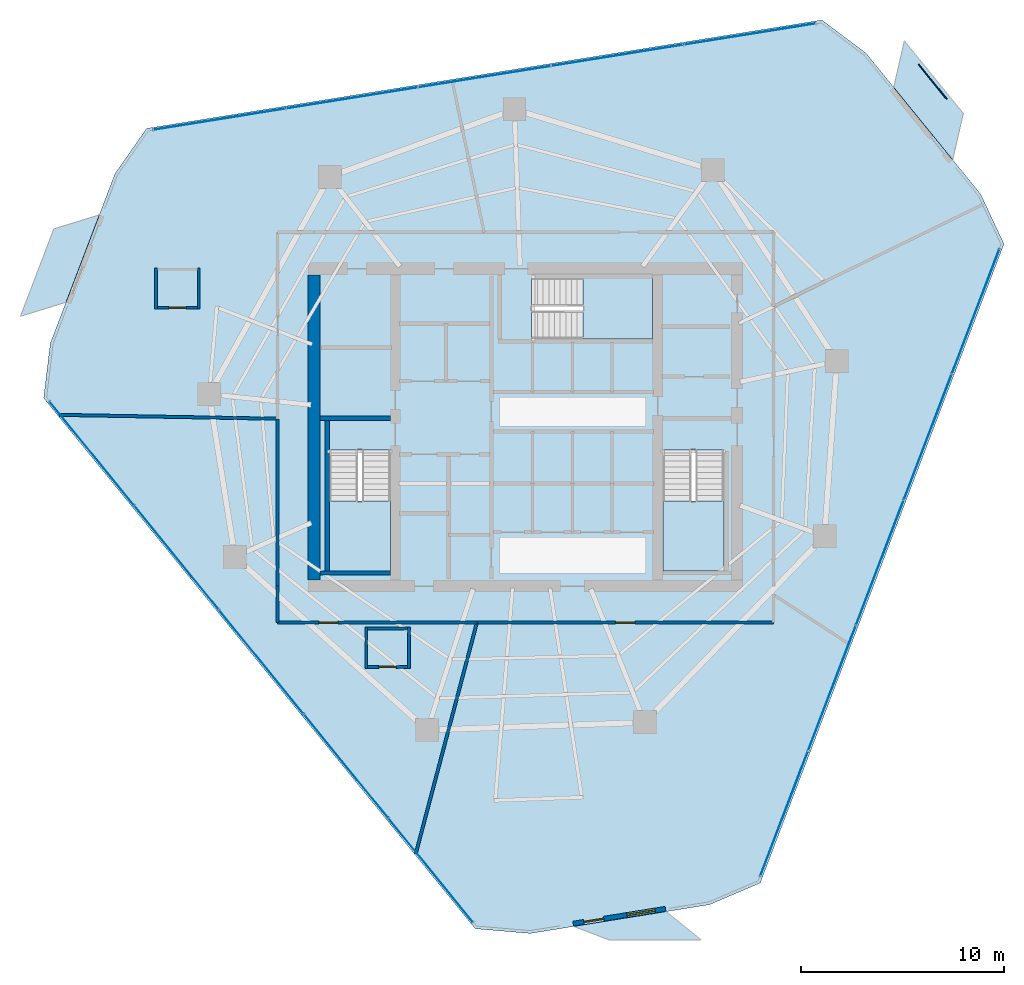
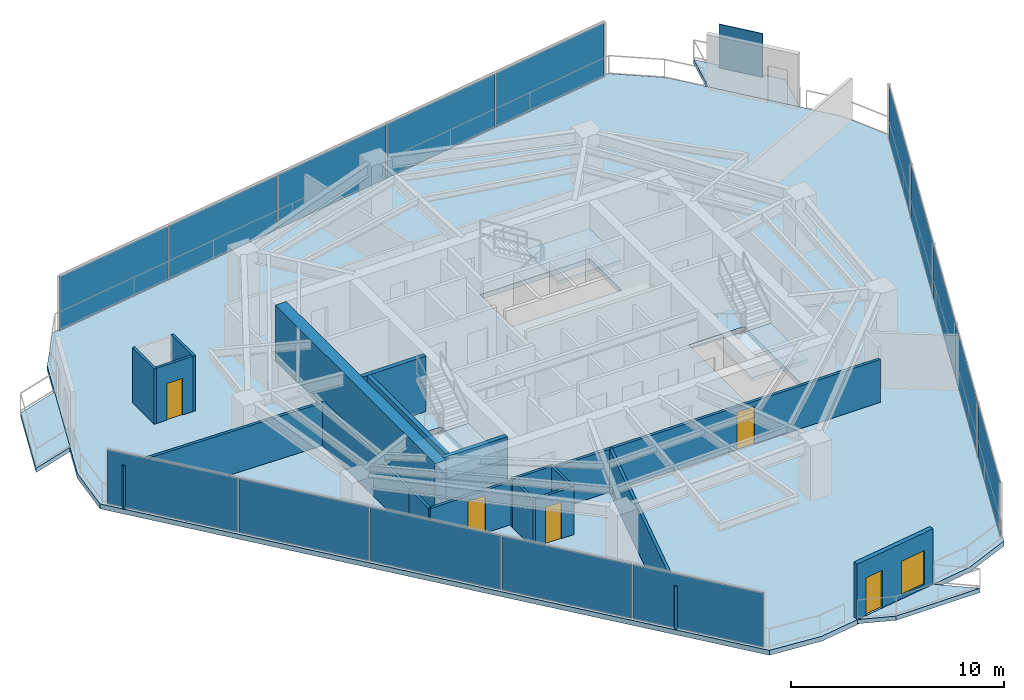
# One storey, part 23 of 27: 18 walls, 16 plates, 7 slabs, 5 doors, 1 window, 6 openings, 6 elements without a shape of their own.
"""IFC4 building model written with IfcOpenShell, lengths in metres."""

from ifc_helpers import new_model, si_unit, direction, frame, frame_2d, origin, origin_2d, place, context, subcontext, project, spatial, polyline, rectangle, outline, extrude, material, layer, layer_set, type_object, element, fill, aggregate, save


model = new_model("IFC4")

# Units and contexts
model_context = context("Model", 3, precision=1e-05, world=origin(), true_north=direction((0.0, 1.0)))
body_context = subcontext(model_context, "Body", "Model", "MODEL_VIEW")
ifc_project = project(units=[si_unit("LENGTHUNIT", "METRE"), si_unit("AREAUNIT", "SQUARE_METRE"), si_unit("VOLUMEUNIT", "CUBIC_METRE"), si_unit("PLANEANGLEUNIT", "RADIAN"), si_unit("MASSUNIT", "GRAM", prefix="KILO")], contexts=[model_context])

# Site, building, storey
site_placement = place(None, origin())
site = spatial("IfcSite", under=ifc_project, at=site_placement, CompositionType="ELEMENT")
building_placement = place(site_placement, origin())
building = spatial("IfcBuilding", under=site, at=building_placement, Name="Qarnah Convention Tower", CompositionType="ELEMENT")
storey_placement = place(building_placement, frame((0.0, 0.0, 100.5)))
storey = spatial("IfcBuildingStorey", under=building, at=storey_placement, Name="L26", CompositionType="ELEMENT", Elevation=100.5)

# Curtain wall, plates
ifc_material_1 = material(Name="Tempered Low-E dark glass", Category="glass")
ifc_layer_1 = layer(ifc_material_1, 0.169921875)
ifc_layer_set_1 = layer_set([ifc_layer_1], Name="Tempered Low-E dark glass")
curtain_wall_type = type_object("IfcCurtainWallType", Name="CWS-02", PredefinedType="NOTDEFINED", material=ifc_layer_set_1)
curtain_wall_1_placement = place(storey_placement, origin())
curtain_wall_1 = element("IfcCurtainWall", 1, at=curtain_wall_1_placement, inside=storey, type_object=curtain_wall_type, Name="L26 unitised curtain wall CW-L26-F1", PredefinedType="NOTDEFINED")
ifc_layer_2 = layer(ifc_material_1, 0.030029296875)
ifc_layer_set_2 = layer_set([ifc_layer_2], Name="Tempered Low-E dark glass")
plate_type_1 = type_object("IfcPlateType", Name="PNL-T2", PredefinedType="CURTAIN_PANEL", material=ifc_layer_set_2)
plate_1_placement = place(storey_placement, frame((59.33447265625, 32.09814453125, 0.0400390625), z_axis=(0.0, 0.0, 1.0), x_axis=(-0.356401833509, -0.934332774268, 0.0)))
plate_1 = element("IfcPlate", 2, at=plate_1_placement, type_object=plate_type_1, Name="CW-L26-F1 curtain panel 1.1", PredefinedType="CURTAIN_PANEL", context=body_context, shape_type="SweptSolid", body=[
    extrude(rectangle(XDim=6.52783203125, YDim=0.030029296875, at=origin_2d()), origin(), (0.0, 0.0, 1.0), 3.090087890625),
])
plate_2_placement = place(storey_placement, frame((56.9794921875, 25.92431640625, 0.0400390625), z_axis=(0.0, 0.0, 1.0), x_axis=(-0.356401833509, -0.934332774268, 0.0)))
plate_2 = element("IfcPlate", 3, at=plate_2_placement, type_object=plate_type_1, Name="CW-L26-F1 curtain panel 2.1", PredefinedType="CURTAIN_PANEL", context=body_context, shape_type="SweptSolid", body=[
    extrude(rectangle(XDim=6.52783203125, YDim=0.030029296875, at=origin_2d()), origin(), (0.0, 0.0, 1.0), 3.090087890625),
])
plate_3_placement = place(storey_placement, frame((54.62451171875, 19.75048828125, 0.0400390625), z_axis=(0.0, 0.0, 1.0), x_axis=(-0.356401833509, -0.934332774268, 0.0)))
plate_3 = element("IfcPlate", 4, at=plate_3_placement, type_object=plate_type_1, Name="CW-L26-F1 curtain panel 3.1", PredefinedType="CURTAIN_PANEL", context=body_context, shape_type="SweptSolid", body=[
    extrude(rectangle(XDim=6.52783203125, YDim=0.030029296875, at=origin_2d()), origin(), (0.0, 0.0, 1.0), 3.090087890625),
])
plate_4_placement = place(storey_placement, frame((52.26953125, 13.57666015625, 0.0400390625), z_axis=(0.0, 0.0, 1.0), x_axis=(-0.356401833509, -0.934332774268, 0.0)))
plate_4 = element("IfcPlate", 5, at=plate_4_placement, type_object=plate_type_1, Name="CW-L26-F1 curtain panel 4.1", PredefinedType="CURTAIN_PANEL", context=body_context, shape_type="SweptSolid", body=[
    extrude(rectangle(XDim=6.52783203125, YDim=0.030029296875, at=origin_2d()), origin(), (0.0, 0.0, 1.0), 3.090087890625),
])
plate_5_placement = place(storey_placement, frame((49.91455078125, 7.40283203125, 0.0400390625), z_axis=(0.0, 0.0, 1.0), x_axis=(-0.356401833509, -0.934332774268, 0.0)))
plate_5 = element("IfcPlate", 6, at=plate_5_placement, type_object=plate_type_1, Name="CW-L26-F1 curtain panel 5.1", PredefinedType="CURTAIN_PANEL", context=body_context, shape_type="SweptSolid", body=[
    extrude(rectangle(XDim=6.52783203125, YDim=0.030029296875, at=origin_2d()), origin(), (0.0, 0.0, 1.0), 3.090087890625),
])
aggregate(curtain_wall_1, [plate_1, plate_2, plate_3, plate_4, plate_5])

curtain_wall_2_placement = place(storey_placement, origin())
curtain_wall_2 = element("IfcCurtainWall", 7, at=curtain_wall_2_placement, inside=storey, type_object=curtain_wall_type, Name="L26 unitised curtain wall CW-L26-F2", PredefinedType="NOTDEFINED")
plate_6_placement = place(storey_placement, frame((32.54150390625, 4.6142578125, 0.0400390625), z_axis=(0.0, 0.0, 1.0), x_axis=(-0.630942367883, 0.775829703227, 0.0)))
plate_6 = element("IfcPlate", 8, at=plate_6_placement, type_object=plate_type_1, Name="CW-L26-F2 curtain panel 1.1", PredefinedType="CURTAIN_PANEL", context=body_context, shape_type="SweptSolid", body=[
    extrude(rectangle(XDim=6.52783203125, YDim=0.030029296875, at=origin_2d()), origin(), (0.0, 0.0, 1.0), 3.090087890625),
])
plate_7_placement = place(storey_placement, frame((28.372314453125, 9.740966796875, 0.0400390625), z_axis=(0.0, 0.0, 1.0), x_axis=(-0.630942367883, 0.775829703227, 0.0)))
plate_7 = element("IfcPlate", 9, at=plate_7_placement, type_object=plate_type_1, Name="CW-L26-F2 curtain panel 2.1", PredefinedType="CURTAIN_PANEL", context=body_context, shape_type="SweptSolid", body=[
    extrude(rectangle(XDim=6.52783203125, YDim=0.030029296875, at=origin_2d()), origin(), (0.0, 0.0, 1.0), 3.090087890625),
])
plate_8_placement = place(storey_placement, frame((24.202880859375, 14.867431640625, 0.0400390625), z_axis=(0.0, 0.0, 1.0), x_axis=(-0.630942367883, 0.775829703227, 0.0)))
plate_8 = element("IfcPlate", 10, at=plate_8_placement, type_object=plate_type_1, Name="CW-L26-F2 curtain panel 3.1", PredefinedType="CURTAIN_PANEL", context=body_context, shape_type="SweptSolid", body=[
    extrude(rectangle(XDim=6.52783203125, YDim=0.030029296875, at=origin_2d()), origin(), (0.0, 0.0, 1.0), 3.090087890625),
])
plate_9_placement = place(storey_placement, frame((20.03369140625, 19.994140625, 0.0400390625), z_axis=(0.0, 0.0, 1.0), x_axis=(-0.630942367883, 0.775829703227, 0.0)))
plate_9 = element("IfcPlate", 11, at=plate_9_placement, type_object=plate_type_1, Name="CW-L26-F2 curtain panel 4.1", PredefinedType="CURTAIN_PANEL", context=body_context, shape_type="SweptSolid", body=[
    extrude(rectangle(XDim=6.52783203125, YDim=0.030029296875, at=origin_2d()), origin(), (0.0, 0.0, 1.0), 3.090087890625),
])
plate_10_placement = place(storey_placement, frame((15.864501953125, 25.12060546875, 0.0400390625), z_axis=(0.0, 0.0, 1.0), x_axis=(-0.630942367883, 0.775829703227, 0.0)))
plate_10 = element("IfcPlate", 12, at=plate_10_placement, type_object=plate_type_1, Name="CW-L26-F2 curtain panel 5.1", PredefinedType="CURTAIN_PANEL", context=body_context, shape_type="SweptSolid", body=[
    extrude(rectangle(XDim=6.52783203125, YDim=0.030029296875, at=origin_2d()), origin(), (0.0, 0.0, 1.0), 3.090087890625),
])
aggregate(curtain_wall_2, [plate_6, plate_7, plate_8, plate_9, plate_10])

curtain_wall_3_placement = place(storey_placement, origin())
curtain_wall_3 = element("IfcCurtainWall", 13, at=curtain_wall_3_placement, inside=storey, type_object=curtain_wall_type, Name="L26 unitised curtain wall CW-L26-F3", PredefinedType="NOTDEFINED")
plate_11_placement = place(storey_placement, frame((22.135986328125, 41.559814453125, 0.0400390625), z_axis=(0.0, 0.0, 1.0), x_axis=(0.987357200045, 0.158511070653, 0.0)))
plate_11 = element("IfcPlate", 14, at=plate_11_placement, type_object=plate_type_1, Name="CW-L26-F3 curtain panel 1.1", PredefinedType="CURTAIN_PANEL", context=body_context, shape_type="SweptSolid", body=[
    extrude(rectangle(XDim=6.52783203125, YDim=0.030029296875, at=origin_2d()), origin(), (0.0, 0.0, 1.0), 3.090087890625),
])
plate_12_placement = place(storey_placement, frame((28.660400390625, 42.607177734375, 0.0400390625), z_axis=(0.0, 0.0, 1.0), x_axis=(0.987357200045, 0.158511070653, 0.0)))
plate_12 = element("IfcPlate", 15, at=plate_12_placement, type_object=plate_type_1, Name="CW-L26-F3 curtain panel 2.1", PredefinedType="CURTAIN_PANEL", context=body_context, shape_type="SweptSolid", body=[
    extrude(rectangle(XDim=6.52783203125, YDim=0.030029296875, at=origin_2d()), origin(), (0.0, 0.0, 1.0), 3.090087890625),
])
plate_13_placement = place(storey_placement, frame((35.1845703125, 43.654541015625, 0.0400390625), z_axis=(0.0, 0.0, 1.0), x_axis=(0.987357200045, 0.158511070653, 0.0)))
plate_13 = element("IfcPlate", 16, at=plate_13_placement, type_object=plate_type_1, Name="CW-L26-F3 curtain panel 3.1", PredefinedType="CURTAIN_PANEL", context=body_context, shape_type="SweptSolid", body=[
    extrude(rectangle(XDim=6.52783203125, YDim=0.030029296875, at=origin_2d()), origin(), (0.0, 0.0, 1.0), 3.090087890625),
])
plate_14_placement = place(storey_placement, frame((41.708740234375, 44.701904296875, 0.0400390625), z_axis=(0.0, 0.0, 1.0), x_axis=(0.987357200045, 0.158511070653, 0.0)))
plate_14 = element("IfcPlate", 17, at=plate_14_placement, type_object=plate_type_1, Name="CW-L26-F3 curtain panel 4.1", PredefinedType="CURTAIN_PANEL", context=body_context, shape_type="SweptSolid", body=[
    extrude(rectangle(XDim=6.52783203125, YDim=0.030029296875, at=origin_2d()), origin(), (0.0, 0.0, 1.0), 3.090087890625),
])
plate_15_placement = place(storey_placement, frame((48.23291015625, 45.749267578125, 0.0400390625), z_axis=(0.0, 0.0, 1.0), x_axis=(0.987357200045, 0.158511070653, 0.0)))
plate_15 = element("IfcPlate", 18, at=plate_15_placement, type_object=plate_type_1, Name="CW-L26-F3 curtain panel 5.1", PredefinedType="CURTAIN_PANEL", context=body_context, shape_type="SweptSolid", body=[
    extrude(rectangle(XDim=6.52783203125, YDim=0.030029296875, at=origin_2d()), origin(), (0.0, 0.0, 1.0), 3.090087890625),
])
aggregate(curtain_wall_3, [plate_11, plate_12, plate_13, plate_14, plate_15])

# Plate
ifc_material_2 = material(Name="Black anodised aluminium", Category="aluminium")
ifc_layer_3 = layer(ifc_material_2, 0.044921875)
ifc_layer_set_3 = layer_set([ifc_layer_3], Name="Black anodised aluminium")
plate_type_2 = type_object("IfcPlateType", Name="SCR-BAL-18", PredefinedType="USERDEFINED", material=ifc_layer_set_3)
plate_16_placement = place(storey_placement, frame((57.22705078125, 43.39697265625, 0.0), z_axis=(0.0, 0.0, 1.0), x_axis=(0.63087895429, -0.775881269933, 0.0)))
element("IfcPlate", 19, at=plate_16_placement, inside=storey, type_object=plate_type_2, Name="L26 perforated desert solar screen BAL-L26-C1", ObjectType="SCREEN", PredefinedType="USERDEFINED", context=body_context, shape_type="SweptSolid", body=[
    extrude(rectangle(XDim=2.199951171875, YDim=0.044921875, at=origin_2d()), origin(), (0.0, 0.0, 1.0), 2.5),
])

# Slabs
ifc_material_3 = material(Name="Concrete C45/55", Category="concrete")
ifc_layer_4 = layer(ifc_material_3, 0.239990234375)
ifc_layer_set_4 = layer_set([ifc_layer_4], Name="Concrete C45/55")
slab_type_1 = type_object("IfcSlabType", Name="SLB-BAL-240", PredefinedType="USERDEFINED", material=ifc_layer_set_4)
slab_1_placement = place(storey_placement, frame((0.0, 0.0, -0.239990234375)))
element("IfcSlab", 20, at=slab_1_placement, inside=storey, type_object=slab_type_1, Name="L26 cantilevered balcony slab BAL-L26-C1", ObjectType="BALCONY", PredefinedType="USERDEFINED", context=body_context, shape_type="SweptSolid", body=[
    extrude(outline(polyline([(55.8291015625, 45.4150390625), (58.73095703125, 41.845947265625), (58.2080078125, 39.55908203125), (55.305908203125, 43.126953125), (55.8291015625, 45.4150390625)])), origin(), (0.0, 0.0, 1.0), 0.239990234375),
])
slab_2_placement = place(storey_placement, frame((0.0, 0.0, -0.239990234375)))
element("IfcSlab", 21, at=slab_2_placement, inside=storey, type_object=slab_type_1, Name="L26 cantilevered balcony slab BAL-L26-C2", ObjectType="BALCONY", PredefinedType="USERDEFINED", context=body_context, shape_type="SweptSolid", body=[
    extrude(outline(polyline([(12.35595703125, 31.865966796875), (13.99609375, 36.1640625), (16.238037109375, 36.85400390625), (14.59912109375, 32.556884765625), (12.35595703125, 31.865966796875)])), origin(), (0.0, 0.0, 1.0), 0.239990234375),
])
slab_3_placement = place(storey_placement, frame((0.0, 0.0, -0.239990234375)))
element("IfcSlab", 22, at=slab_3_placement, inside=storey, type_object=slab_type_1, Name="L26 cantilevered balcony slab BAL-L26-C3", ObjectType="BALCONY", PredefinedType="USERDEFINED", context=body_context, shape_type="SweptSolid", body=[
    extrude(outline(polyline([(45.826904296875, 1.199951171875), (41.284912109375, 1.199951171875), (39.56494140625, 1.860107421875), (44.10791015625, 2.589111328125), (45.826904296875, 1.199951171875)])), origin(), (0.0, 0.0, 1.0), 0.239990234375),
])

# Stair, slab
ifc_material_4 = material(Name="Concrete C50/60", Category="concrete")
stair_type = type_object("IfcStairType", Name="STR-HTL", PredefinedType="HALF_TURN_STAIR", material=ifc_material_4)
stair_1_placement = place(storey_placement, origin())
stair_1 = element("IfcStair", 23, at=stair_1_placement, inside=storey, type_object=stair_type, Name="L26 Core exit stair ST-1", PredefinedType="HALF_TURN_STAIR")
ifc_layer_5 = layer(ifc_material_4, 0.199951171875)
ifc_layer_set_5 = layer_set([ifc_layer_5], Name="Concrete C50/60")
slab_type_2 = type_object("IfcSlabType", Name="SLB-LANDING-200", PredefinedType="LANDING", material=ifc_layer_set_5)
slab_4_placement = place(storey_placement, frame((0.0, 0.0, 1.52490234375)))
slab_4 = element("IfcSlab", 24, at=slab_4_placement, type_object=slab_type_2, Name="ST-1 landing 1", PredefinedType="LANDING", context=body_context, shape_type="SweptSolid", body=[
    extrude(outline(polyline([(27.550048828125, 22.780029296875), (27.550048828125, 19.35009765625), (30.550048828125, 19.35009765625), (30.550048828125, 22.780029296875), (27.550048828125, 22.780029296875)])), origin(), (0.0, 0.0, 1.0), 0.2001953125),
])
aggregate(stair_1, [slab_4])

stair_2_placement = place(storey_placement, origin())
stair_2 = element("IfcStair", 25, at=stair_2_placement, inside=storey, type_object=stair_type, Name="L26 Core exit stair ST-2", PredefinedType="HALF_TURN_STAIR")
slab_5_placement = place(storey_placement, frame((0.0, 0.0, 1.52490234375)))
slab_5 = element("IfcSlab", 26, at=slab_5_placement, type_object=slab_type_2, Name="ST-2 landing 1", PredefinedType="LANDING", context=body_context, shape_type="SweptSolid", body=[
    extrude(outline(polyline([(43.949951171875, 22.780029296875), (43.949951171875, 19.35009765625), (46.949951171875, 19.35009765625), (46.949951171875, 22.780029296875), (43.949951171875, 22.780029296875)])), origin(), (0.0, 0.0, 1.0), 0.2001953125),
])
aggregate(stair_2, [slab_5])

stair_3_placement = place(storey_placement, origin())
stair_3 = element("IfcStair", 27, at=stair_3_placement, inside=storey, type_object=stair_type, Name="L26 Core exit stair ST-3", PredefinedType="HALF_TURN_STAIR")
slab_6_placement = place(storey_placement, frame((0.0, 0.0, 1.52490234375)))
slab_6 = element("IfcSlab", 28, at=slab_6_placement, type_object=slab_type_2, Name="ST-3 landing 1", PredefinedType="LANDING", context=body_context, shape_type="SweptSolid", body=[
    extrude(outline(polyline([(40.02001953125, 30.75), (43.449951171875, 30.75), (43.449951171875, 33.75), (40.02001953125, 33.75), (40.02001953125, 30.75)])), origin(), (0.0, 0.0, 1.0), 0.2001953125),
])
aggregate(stair_3, [slab_6])

# Slab
ifc_layer_6 = layer(ifc_material_3, 0.280029296875)
ifc_layer_set_6 = layer_set([ifc_layer_6], Name="Concrete C45/55")
slab_type_3 = type_object("IfcSlabType", Name="SLB-TWR-280", PredefinedType="FLOOR", material=ifc_layer_set_6)
slab_7_placement = place(storey_placement, frame((0.0, 0.0, -0.280029296875)))
element("IfcSlab", 29, at=slab_7_placement, inside=storey, type_object=slab_type_3, Name="L26 structural floor slab", PredefinedType="FLOOR", context=body_context, shape_type="SweptSolid", body=[
    extrude(outline(polyline([(51.77197265625, 46.43896484375), (18.55908203125, 41.10693359375), (17.007080078125, 38.882080078125), (13.822998046875, 30.533935546875), (13.498046875, 27.841064453125), (34.721923828125, 1.742919921875), (37.425048828125, 1.511962890625), (46.2470703125, 2.927978515625), (48.741943359375, 3.992919921875), (60.73095703125, 35.423095703125), (59.580078125, 37.87890625), (53.94189453125, 44.81103515625), (51.77197265625, 46.43896484375)]), holes=[polyline([(27.550048828125, 25.300048828125), (27.550048828125, 19.35009765625), (30.550048828125, 19.35009765625), (30.550048828125, 25.300048828125), (27.550048828125, 25.300048828125)]), polyline([(43.949951171875, 25.300048828125), (43.949951171875, 19.35009765625), (46.949951171875, 19.35009765625), (46.949951171875, 25.300048828125), (43.949951171875, 25.300048828125)]), polyline([(37.5, 30.75), (43.449951171875, 30.75), (43.449951171875, 33.75), (37.5, 33.75), (37.5, 30.75)])]), origin(), (0.0, 0.0, 1.0), 0.280029296875),
])

# Walls
ifc_material_5 = material(Name="Concrete C60/75", Category="concrete")
ifc_layer_7 = layer(ifc_material_5, 0.60009765625)
ifc_layer_set_7 = layer_set([ifc_layer_7], Name="Concrete C60/75")
wall_type_1 = type_object("IfcWallType", Name="WL-CORE-600", PredefinedType="SHEAR", material=ifc_layer_set_7)
wall_1_placement = place(storey_placement, frame((26.800048828125, 18.89990234375, 0.0), z_axis=(0.0, 0.0, 1.0), x_axis=(0.0, 1.0, 0.0)))
element("IfcWall", 30, at=wall_1_placement, inside=storey, type_object=wall_type_1, Name="L26 core west shear wall", PredefinedType="SHEAR", context=body_context, shape_type="SweptSolid", body=[
    extrude(rectangle(XDim=15.0, YDim=0.60009765625, at=frame_2d((7.5, 0.0))), origin(), (0.0, 0.0, 1.0), 3.169921875),
])
ifc_layer_8 = layer(ifc_material_5, 0.219970703125)
ifc_layer_set_8 = layer_set([ifc_layer_8], Name="Concrete C60/75")
wall_type_2 = type_object("IfcWallType", Name="WL-CORE-STAIR-220", PredefinedType="SHEAR", material=ifc_layer_set_8)
wall_2_placement = place(storey_placement, frame((27.10009765625, 26.860107421875, 0.0), z_axis=(0.0, 0.0, 1.0), x_axis=(1.0, 0.0, 0.0)))
element("IfcWall", 31, at=wall_2_placement, inside=storey, type_object=wall_type_2, Name="L26 stair shaft shear wall SW-L26-ST1N", PredefinedType="SHEAR", context=body_context, shape_type="SweptSolid", body=[
    extrude(rectangle(XDim=3.449951171875, YDim=0.219970703125, at=frame_2d((1.72509765625, 0.0))), origin(), (0.0, 0.0, 1.0), 3.169921875),
])
wall_3_placement = place(storey_placement, frame((27.43994140625, 19.35009765625, 0.0), z_axis=(0.0, 0.0, 1.0), x_axis=(0.0, 1.0, 0.0)))
element("IfcWall", 32, at=wall_3_placement, inside=storey, type_object=wall_type_2, Name="L26 stair shaft shear wall SW-L26-ST1W", PredefinedType="SHEAR", context=body_context, shape_type="SweptSolid", body=[
    extrude(rectangle(XDim=7.39990234375, YDim=0.219970703125, at=frame_2d((3.699951171875, 0.0))), origin(), (0.0, 0.0, 1.0), 3.169921875),
])
wall_4_placement = place(storey_placement, frame((27.10009765625, 19.239990234375, 0.0), z_axis=(0.0, 0.0, 1.0), x_axis=(1.0, 0.0, 0.0)))
element("IfcWall", 33, at=wall_4_placement, inside=storey, type_object=wall_type_2, Name="L26 stair shaft shear wall SW-L26-ST1S", PredefinedType="SHEAR", context=body_context, shape_type="SweptSolid", body=[
    extrude(rectangle(XDim=3.449951171875, YDim=0.219970703125, at=frame_2d((1.72509765625, 0.0))), origin(), (0.0, 0.0, 1.0), 3.169921875),
])

# Wall, openings, door, window
ifc_material_6 = material(Name="Precast concrete C45/55", Category="concrete")
ifc_layer_9 = layer(ifc_material_6, 0.239990234375)
ifc_layer_set_9 = layer_set([ifc_layer_9], Name="Precast concrete C45/55")
wall_type_3 = type_object("IfcWallType", Name="WL-EXT-BAL-240", PredefinedType="SOLIDWALL", material=ifc_layer_set_9)
wall_5_placement = place(storey_placement, frame((44.0849609375, 2.722900390625, 0.0), z_axis=(0.0, 0.0, 1.0), x_axis=(-0.987363015506, -0.158474842201, 0.0)))
wall_5 = element("IfcWall", 34, at=wall_5_placement, inside=storey, type_object=wall_type_3, Name="L26 loggia threshold wall BAL-L26-C3", PredefinedType="SOLIDWALL", context=body_context, shape_type="SweptSolid", body=[
    extrude(rectangle(XDim=4.60009765625, YDim=0.239990234375, at=frame_2d((2.300048828125, 0.0))), origin(), (0.0, 0.0, 1.0), 3.169921875),
])
opening_1_placement = place(wall_5_placement, frame((3.080078125, 0.0, 0.0)))
opening_1 = element("IfcOpeningElement", 35, at=opening_1_placement, cuts=wall_5, Name="Opening BD-2603", PredefinedType="OPENING", context=body_context, shape_type="SweptSolid", body=[
    extrude(rectangle(XDim=1.0, YDim=2.14990234375, at=frame_2d((0.5, 1.074951171875))), frame((0.0, 0.1298828125, 0.0), z_axis=(0.0, -1.0, 0.0), x_axis=(1.0, 0.0, 0.0)), (0.0, 0.0, 1.0), 0.260009765625),
])
opening_2_placement = place(wall_5_placement, frame((0.52001953125, 0.0, 0.199951171875)))
opening_2 = element("IfcOpeningElement", 36, at=opening_2_placement, cuts=wall_5, Name="Opening WN4", PredefinedType="OPENING", context=body_context, shape_type="SweptSolid", body=[
    extrude(rectangle(XDim=1.39990234375, YDim=1.949951171875, at=frame_2d((0.699951171875, 0.97509765625))), frame((0.0, 0.1298828125, 0.0), z_axis=(0.0, -1.0, 0.0), x_axis=(1.0, 0.0, 0.0)), (0.0, 0.0, 1.0), 0.260009765625),
])
door_type_1 = type_object("IfcDoorType", Name="DT-BAL-1000", OperationType="NOTDEFINED", PredefinedType="DOOR", material=ifc_material_2)
door_1_placement = place(opening_1_placement, origin())
door_1 = element("IfcDoor", 37, at=door_1_placement, inside=storey, type_object=door_type_1, Name="L26 balcony terrace door BAL-L26-C3", OperationType="SINGLE_SWING_LEFT", OverallHeight=2.14990234375, OverallWidth=1.0, PredefinedType="DOOR", context=body_context, shape_type="SweptSolid", body=[
    extrude(rectangle(XDim=1.0, YDim=2.14990234375, at=frame_2d((0.5, 1.074951171875))), frame((0.0, 0.02490234375, 0.0), z_axis=(0.0, -1.0, 0.0), x_axis=(1.0, 0.0, 0.0)), (0.0, 0.0, 1.0), 0.050048828125),
])
fill(opening_1, door_1)
window_type = type_object("IfcWindowType", Name="WT-BAL-1400X2000", PartitioningType="SINGLE_PANEL", PredefinedType="WINDOW", material=ifc_material_1)
window_placement = place(opening_2_placement, origin())
window = element("IfcWindow", 38, at=window_placement, inside=storey, type_object=window_type, Name="Window BW-BAL-L26-C3", OverallHeight=1.949951171875, OverallWidth=1.39990234375, PartitioningType="SINGLE_PANEL", PredefinedType="WINDOW", context=body_context, shape_type="SweptSolid", body=[
    extrude(rectangle(XDim=1.39990234375, YDim=1.949951171875, at=frame_2d((0.699951171875, 0.97509765625))), frame((0.0, 0.030029296875, 0.0), z_axis=(0.0, -1.0, 0.0), x_axis=(1.0, 0.0, 0.0)), (0.0, 0.0, 1.0), 0.06005859375),
])
fill(opening_2, window)

# Walls
ifc_material_7 = material(Name="Gypsum partition board")
ifc_layer_10 = layer(ifc_material_7, 0.14990234375)
ifc_layer_set_10 = layer_set([ifc_layer_10], Name="Gypsum partition board")
wall_type_4 = type_object("IfcWallType", Name="WL-SUITE-150", PredefinedType="PARTITIONING", material=ifc_layer_set_10)
wall_6_placement = place(storey_placement, frame((14.24609375, 27.01806640625, 0.0), z_axis=(0.0, 0.0, 1.0), x_axis=(0.999840425638, -0.017864021408, 0.0)))
element("IfcWall", 39, at=wall_6_placement, inside=storey, type_object=wall_type_4, Name="L26 interior wall IW-L26-R-14", PredefinedType="PARTITIONING", context=body_context, shape_type="SweptSolid", body=[
    extrude(rectangle(XDim=10.755615234375, YDim=0.14990234375, at=frame_2d((5.3779296875, 0.0))), origin(), (0.0, 0.0, 1.0), 2.455078125),
])
wall_7_placement = place(storey_placement, frame((31.801025390625, 5.43701171875, 0.0), z_axis=(0.0, 0.0, 1.0), x_axis=(0.255655619839, 0.96676791633, 0.0)))
element("IfcWall", 40, at=wall_7_placement, inside=storey, type_object=wall_type_4, Name="L26 interior wall IW-L26-R-18", PredefinedType="PARTITIONING", context=body_context, shape_type="SweptSolid", body=[
    extrude(rectangle(XDim=11.753662109375, YDim=0.14990234375, at=frame_2d((5.876953125, 0.0))), origin(), (0.0, 0.0, 1.0), 2.455078125),
])

# Wall, opening, door
wall_8_placement = place(storey_placement, frame((34.805908203125, 16.800048828125, 0.0), z_axis=(0.0, 0.0, 1.0), x_axis=(-1.0, 0.0, 0.0)))
wall_8 = element("IfcWall", 41, at=wall_8_placement, inside=storey, type_object=wall_type_4, Name="L26 interior wall IW-L26-R-19", PredefinedType="PARTITIONING", context=body_context, shape_type="SweptSolid", body=[
    extrude(rectangle(XDim=9.805908203125, YDim=0.14990234375, at=frame_2d((4.90283203125, 0.0))), origin(), (0.0, 0.0, 1.0), 2.455078125),
])
opening_3_placement = place(wall_8_placement, frame((6.821044921875, 0.0, 0.0)))
opening_3 = element("IfcOpeningElement", 42, at=opening_3_placement, cuts=wall_8, Name="Opening D-2619", PredefinedType="OPENING", context=body_context, shape_type="SweptSolid", body=[
    extrude(rectangle(XDim=0.949951171875, YDim=2.14990234375, at=frame_2d((0.47509765625, 1.074951171875))), frame((0.0, 0.0849609375, 0.0), z_axis=(0.0, -1.0, 0.0), x_axis=(1.0, 0.0, 0.0)), (0.0, 0.0, 1.0), 0.169921875),
])
ifc_material_8 = material(Name="Oak timber veneer", Category="wood")
door_type_2 = type_object("IfcDoorType", Name="DT-HOTEL-950", OperationType="NOTDEFINED", PredefinedType="DOOR", material=ifc_material_8)
door_2_placement = place(opening_3_placement, origin())
door_2 = element("IfcDoor", 43, at=door_2_placement, inside=storey, type_object=door_type_2, Name="Door D-2619", OperationType="SINGLE_SWING_RIGHT", OverallHeight=2.14990234375, OverallWidth=0.949951171875, PredefinedType="DOOR", context=body_context, shape_type="SweptSolid", body=[
    extrude(rectangle(XDim=0.949951171875, YDim=2.14990234375, at=frame_2d((0.47509765625, 1.074951171875))), frame((0.0, 0.02490234375, 0.0), z_axis=(0.0, -1.0, 0.0), x_axis=(1.0, 0.0, 0.0)), (0.0, 0.0, 1.0), 0.050048828125),
])
fill(opening_3, door_2)

# Walls
wall_9_placement = place(storey_placement, frame((25.0, 16.800048828125, 0.0), z_axis=(0.0, 0.0, 1.0), x_axis=(0.0, 1.0, 0.0)))
element("IfcWall", 44, at=wall_9_placement, inside=storey, type_object=wall_type_4, Name="L26 interior wall IW-L26-R-20", PredefinedType="PARTITIONING", context=body_context, shape_type="SweptSolid", body=[
    extrude(rectangle(XDim=1.800048828125, YDim=0.14990234375, at=frame_2d((0.89990234375, 0.0))), origin(), (0.0, 0.0, 1.0), 2.455078125),
])
wall_10_placement = place(storey_placement, frame((25.0, 18.60009765625, 0.0), z_axis=(0.0, 0.0, 1.0), x_axis=(0.0, 1.0, 0.0)))
element("IfcWall", 45, at=wall_10_placement, inside=storey, type_object=wall_type_4, Name="L26 interior wall IW-L26-R-21", PredefinedType="PARTITIONING", context=body_context, shape_type="SweptSolid", body=[
    extrude(rectangle(XDim=8.225830078125, YDim=0.14990234375, at=frame_2d((4.11279296875, 0.0))), origin(), (0.0, 0.0, 1.0), 2.467041015625),
])

# Wall, opening, door
wall_11_placement = place(storey_placement, frame((49.39990234375, 16.800048828125, 0.0), z_axis=(0.0, 0.0, 1.0), x_axis=(-1.0, 0.0, 0.0)))
wall_11 = element("IfcWall", 46, at=wall_11_placement, inside=storey, type_object=wall_type_4, Name="L26 interior wall IW-L26-R-24", PredefinedType="PARTITIONING", context=body_context, shape_type="SweptSolid", body=[
    extrude(rectangle(XDim=14.593994140625, YDim=0.14990234375, at=frame_2d((7.296875, 0.0))), origin(), (0.0, 0.0, 1.0), 2.455078125),
])
opening_4_placement = place(wall_11_placement, frame((6.822021484375, 0.0, 0.0)))
opening_4 = element("IfcOpeningElement", 47, at=opening_4_placement, cuts=wall_11, Name="Opening D-2621", PredefinedType="OPENING", context=body_context, shape_type="SweptSolid", body=[
    extrude(rectangle(XDim=0.949951171875, YDim=2.14990234375, at=frame_2d((0.47509765625, 1.074951171875))), frame((0.0, 0.0849609375, 0.0), z_axis=(0.0, -1.0, 0.0), x_axis=(1.0, 0.0, 0.0)), (0.0, 0.0, 1.0), 0.169921875),
])
door_3_placement = place(opening_4_placement, origin())
door_3 = element("IfcDoor", 48, at=door_3_placement, inside=storey, type_object=door_type_2, Name="Door D-2621", OperationType="SINGLE_SWING_RIGHT", OverallHeight=2.14990234375, OverallWidth=0.949951171875, PredefinedType="DOOR", context=body_context, shape_type="SweptSolid", body=[
    extrude(rectangle(XDim=0.949951171875, YDim=2.14990234375, at=frame_2d((0.47509765625, 1.074951171875))), frame((0.0, 0.02490234375, 0.0), z_axis=(0.0, -1.0, 0.0), x_axis=(1.0, 0.0, 0.0)), (0.0, 0.0, 1.0), 0.050048828125),
])
fill(opening_4, door_3)

ifc_layer_11 = layer(ifc_material_7, 0.139892578125)
ifc_layer_set_11 = layer_set([ifc_layer_11], Name="Gypsum partition board")
wall_type_5 = type_object("IfcWallType", Name="WL-WET-140", PredefinedType="PARTITIONING", material=ifc_layer_set_11)
wall_12_placement = place(storey_placement, frame((18.9560546875, 32.282958984375, 0.0), z_axis=(0.0, 0.0, 1.0), x_axis=(1.0, 0.0, 0.0)))
wall_12 = element("IfcWall", 49, at=wall_12_placement, inside=storey, type_object=wall_type_5, Name="L26 interior wall IW-L26-ENS01-1", PredefinedType="PARTITIONING", context=body_context, shape_type="SweptSolid", body=[
    extrude(rectangle(XDim=2.239990234375, YDim=0.139892578125, at=frame_2d((1.1201171875, 0.0))), origin(), (0.0, 0.0, 1.0), 3.169921875),
])
opening_5_placement = place(wall_12_placement, frame((0.695068359375, 0.0, 0.0)))
opening_5 = element("IfcOpeningElement", 50, at=opening_5_placement, cuts=wall_12, Name="Opening D-2618", PredefinedType="OPENING", context=body_context, shape_type="SweptSolid", body=[
    extrude(rectangle(XDim=0.85009765625, YDim=2.10009765625, at=frame_2d((0.425048828125, 1.050048828125))), frame((0.0, 0.079833984375, 0.0), z_axis=(0.0, -1.0, 0.0), x_axis=(1.0, 0.0, 0.0)), (0.0, 0.0, 1.0), 0.159912109375),
])
door_type_3 = type_object("IfcDoorType", Name="DT-BATH-850", OperationType="NOTDEFINED", PredefinedType="DOOR", material=ifc_material_8)
door_4_placement = place(opening_5_placement, origin())
door_4 = element("IfcDoor", 51, at=door_4_placement, inside=storey, type_object=door_type_3, Name="Door D-2618", OperationType="SINGLE_SWING_LEFT", OverallHeight=2.10009765625, OverallWidth=0.85009765625, PredefinedType="DOOR", context=body_context, shape_type="SweptSolid", body=[
    extrude(rectangle(XDim=0.85009765625, YDim=2.10009765625, at=frame_2d((0.425048828125, 1.050048828125))), frame((0.0, 0.02490234375, 0.0), z_axis=(0.0, -1.0, 0.0), x_axis=(1.0, 0.0, 0.0)), (0.0, 0.0, 1.0), 0.050048828125),
])
fill(opening_5, door_4)

# Walls
for number, where, z_axis, x_axis, name in (
    (52, (21.1259765625, 32.212890625, 0.0), (0.0, 0.0, 1.0), (0.0, 1.0, 0.0), "L26 interior wall IW-L26-ENS01-2"),
    (53, (19.02587890625, 34.2529296875, 0.0), (0.0, 0.0, 1.0), (0.0, -1.0, 0.0), "L26 interior wall IW-L26-ENS01-4"),
):
    element("IfcWall", number, at=place(storey_placement, frame(where, z_axis=z_axis, x_axis=x_axis)), inside=storey, type_object=wall_type_5, Name=name, PredefinedType="PARTITIONING", context=body_context, shape_type="SweptSolid", body=[
        extrude(rectangle(XDim=2.0400390625, YDim=0.139892578125, at=frame_2d((1.02001953125, 0.0))), origin(), (0.0, 0.0, 1.0), 3.169921875),
    ])

# Wall, opening, door
wall_13_placement = place(storey_placement, frame((29.2900390625, 14.617919921875, 0.0), z_axis=(0.0, 0.0, 1.0), x_axis=(1.0, 0.0, 0.0)))
wall_13 = element("IfcWall", 54, at=wall_13_placement, inside=storey, type_object=wall_type_5, Name="L26 interior wall IW-L26-ENS02-1", PredefinedType="PARTITIONING", context=body_context, shape_type="SweptSolid", body=[
    extrude(rectangle(XDim=2.239990234375, YDim=0.139892578125, at=frame_2d((1.1201171875, 0.0))), origin(), (0.0, 0.0, 1.0), 2.7470703125),
])
opening_6_placement = place(wall_13_placement, frame((0.695068359375, 0.0, 0.0)))
opening_6 = element("IfcOpeningElement", 55, at=opening_6_placement, cuts=wall_13, Name="Opening D-2620", PredefinedType="OPENING", context=body_context, shape_type="SweptSolid", body=[
    extrude(rectangle(XDim=0.85009765625, YDim=2.10009765625, at=frame_2d((0.425048828125, 1.050048828125))), frame((0.0, 0.079833984375, 0.0), z_axis=(0.0, -1.0, 0.0), x_axis=(1.0, 0.0, 0.0)), (0.0, 0.0, 1.0), 0.159912109375),
])
door_5_placement = place(opening_6_placement, origin())
door_5 = element("IfcDoor", 56, at=door_5_placement, inside=storey, type_object=door_type_3, Name="Door D-2620", OperationType="SINGLE_SWING_LEFT", OverallHeight=2.10009765625, OverallWidth=0.85009765625, PredefinedType="DOOR", context=body_context, shape_type="SweptSolid", body=[
    extrude(rectangle(XDim=0.85009765625, YDim=2.10009765625, at=frame_2d((0.425048828125, 1.050048828125))), frame((0.0, 0.02490234375, 0.0), z_axis=(0.0, -1.0, 0.0), x_axis=(1.0, 0.0, 0.0)), (0.0, 0.0, 1.0), 0.050048828125),
])
fill(opening_6, door_5)

# Walls
wall_14_placement = place(storey_placement, frame((31.4599609375, 14.548095703125, 0.0), z_axis=(0.0, 0.0, 1.0), x_axis=(0.0, 1.0, 0.0)))
element("IfcWall", 57, at=wall_14_placement, inside=storey, type_object=wall_type_5, Name="L26 interior wall IW-L26-ENS02-2", PredefinedType="PARTITIONING", context=body_context, shape_type="SweptSolid", body=[
    extrude(rectangle(XDim=2.039794921875, YDim=0.139892578125, at=frame_2d((1.02001953125, 0.0))), origin(), (0.0, 0.0, 1.0), 2.799072265625),
])
wall_15_placement = place(storey_placement, frame((31.530029296875, 16.51806640625, 0.0), z_axis=(0.0, 0.0, 1.0), x_axis=(-1.0, 0.0, 0.0)))
element("IfcWall", 58, at=wall_15_placement, inside=storey, type_object=wall_type_5, Name="L26 interior wall IW-L26-ENS02-3", PredefinedType="PARTITIONING", context=body_context, shape_type="SweptSolid", body=[
    extrude(rectangle(XDim=2.239990234375, YDim=0.139892578125, at=frame_2d((1.1201171875, 0.0))), origin(), (0.0, 0.0, 1.0), 2.799072265625),
])
wall_16_placement = place(storey_placement, frame((29.360107421875, 16.587890625, 0.0), z_axis=(0.0, 0.0, 1.0), x_axis=(0.0, -1.0, 0.0)))
element("IfcWall", 59, at=wall_16_placement, inside=storey, type_object=wall_type_5, Name="L26 interior wall IW-L26-ENS02-4", PredefinedType="PARTITIONING", context=body_context, shape_type="SweptSolid", body=[
    extrude(rectangle(XDim=2.039794921875, YDim=0.139892578125, at=frame_2d((1.02001953125, 0.0))), origin(), (0.0, 0.0, 1.0), 2.7470703125),
])

save(model, "model.ifc")
